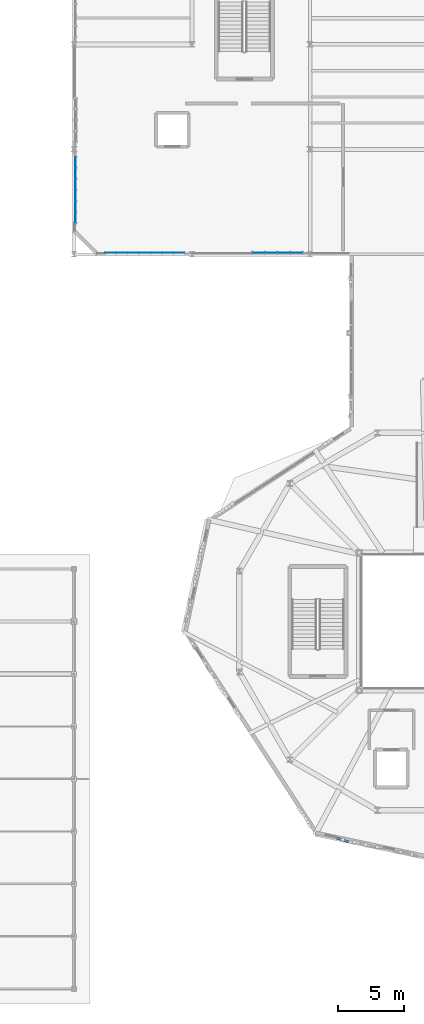
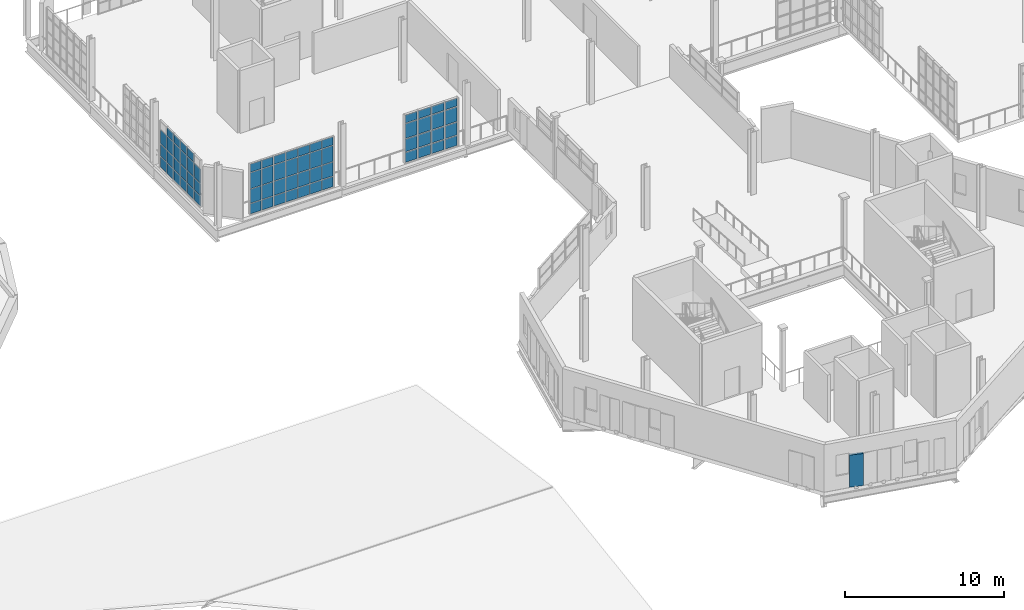
# One storey, part 88 of 118: 67 plates, 3 elements without a shape of their own.
"""IFC4 building model written with IfcOpenShell, lengths in metres."""

from ifc_helpers import new_model, si_unit, direction, frame, frame_2d, origin, origin_2d, place, context, subcontext, project, spatial, rectangle, extrude, material, layer, layer_set, type_object, element, aggregate, save


model = new_model("IFC4")

# Units and contexts
model_context = context("Model", 3, precision=1e-05, world=origin(), true_north=direction((0.0, 1.0)))
body_context = subcontext(model_context, "Body", "Model", "MODEL_VIEW")
ifc_project = project(units=[si_unit("LENGTHUNIT", "METRE"), si_unit("AREAUNIT", "SQUARE_METRE"), si_unit("VOLUMEUNIT", "CUBIC_METRE"), si_unit("PLANEANGLEUNIT", "RADIAN"), si_unit("MASSUNIT", "GRAM", prefix="KILO"), si_unit("THERMODYNAMICTEMPERATUREUNIT", "KELVIN"), si_unit("POWERUNIT", "WATT")], contexts=[model_context])

# Site, building, storey
site_placement = place(None, origin())
site = spatial("IfcSite", under=ifc_project, at=site_placement, CompositionType="ELEMENT")
building_placement = place(site_placement, origin())
building = spatial("IfcBuilding", under=site, at=building_placement, Name="Zelmaris Science Centre", CompositionType="ELEMENT")
storey_placement = place(building_placement, frame((0.0, 0.0, 15.60009765625)))
storey = spatial("IfcBuildingStorey", under=building, at=storey_placement, Name="L03", CompositionType="ELEMENT", Elevation=15.60009765625)

# Curtain wall, plates
ifc_material_1 = material(Name="Anodised architectural aluminium 6063-T6", Category="aluminium")
ifc_layer_1 = layer(ifc_material_1, 0.199951171875, Name="Anodised architectural aluminium 6063-T6")
ifc_layer_set_1 = layer_set([ifc_layer_1], Name="Anodised architectural aluminium 6063-T6")
curtain_wall_type_1 = type_object("IfcCurtainWallType", Name="Curtain Wall CW-02", PredefinedType="USERDEFINED", material=ifc_layer_set_1)
curtain_wall_1_placement = place(storey_placement, origin())
curtain_wall_1 = element("IfcCurtainWall", 1, at=curtain_wall_1_placement, inside=storey, type_object=curtain_wall_type_1, Name="L03 Unitised curtain wall 318", ObjectType="GLAZED CURTAIN WALL", PredefinedType="USERDEFINED")
ifc_material_2 = material(Name="Laminated hurricane-rated low-E insulated glazing", Category="glass")
ifc_layer_2 = layer(ifc_material_2, 0.028076171875, Name="Laminated hurricane-rated low-E insulated glazing")
ifc_layer_set_2 = layer_set([ifc_layer_2], Name="Laminated hurricane-rated low-E insulated glazing")
plate_type_1 = type_object("IfcPlateType", Name="Curtain Glazing Panel CWP-2 28mm", PredefinedType="CURTAIN_PANEL", material=ifc_layer_set_2)
plate_1_placement = place(storey_placement, frame((70.955810546875, 64.1201171875, 0.052001953125), z_axis=(0.0, 0.0, 1.0), x_axis=(-1.0, 0.0, 0.0)))
plate_1 = element("IfcPlate", 2, at=plate_1_placement, type_object=plate_type_1, Name="CW-02 panel 1.1", PredefinedType="CURTAIN_PANEL", context=body_context, shape_type="SweptSolid", body=[
    extrude(rectangle(XDim=0.87451171875, YDim=0.028076171875, at=origin_2d()), origin(), (0.0, 0.0, 1.0), 0.74951171875),
])
plate_2_placement = place(storey_placement, frame((70.955810546875, 64.1201171875, 0.868408203125), z_axis=(0.0, 0.0, 1.0), x_axis=(-1.0, 0.0, 0.0)))
plate_2 = element("IfcPlate", 3, at=plate_2_placement, type_object=plate_type_1, Name="CW-02 panel 1.2", PredefinedType="CURTAIN_PANEL", context=body_context, shape_type="SweptSolid", body=[
    extrude(rectangle(XDim=0.87451171875, YDim=0.028076171875, at=origin_2d()), origin(), (0.0, 0.0, 1.0), 0.95947265625),
])
plate_3_placement = place(storey_placement, frame((70.955810546875, 64.1201171875, 1.89501953125), z_axis=(0.0, 0.0, 1.0), x_axis=(-1.0, 0.0, 0.0)))
plate_3 = element("IfcPlate", 4, at=plate_3_placement, type_object=plate_type_1, Name="CW-02 panel 1.3", PredefinedType="CURTAIN_PANEL", context=body_context, shape_type="SweptSolid", body=[
    extrude(rectangle(XDim=0.87451171875, YDim=0.028076171875, at=origin_2d()), origin(), (0.0, 0.0, 1.0), 1.109619140625),
])
plate_4_placement = place(storey_placement, frame((70.955810546875, 64.1201171875, 3.0712890625), z_axis=(0.0, 0.0, 1.0), x_axis=(-1.0, 0.0, 0.0)))
plate_4 = element("IfcPlate", 5, at=plate_4_placement, type_object=plate_type_1, Name="CW-02 panel 1.4", PredefinedType="CURTAIN_PANEL", context=body_context, shape_type="SweptSolid", body=[
    extrude(rectangle(XDim=0.87451171875, YDim=0.028076171875, at=origin_2d()), origin(), (0.0, 0.0, 1.0), 0.599609375),
])
plate_5_placement = place(storey_placement, frame((69.99755859375, 64.1201171875, 0.052001953125), z_axis=(0.0, 0.0, 1.0), x_axis=(-1.0, 0.0, 0.0)))
plate_5 = element("IfcPlate", 6, at=plate_5_placement, type_object=plate_type_1, Name="CW-02 panel 2.1", PredefinedType="CURTAIN_PANEL", context=body_context, shape_type="SweptSolid", body=[
    extrude(rectangle(XDim=0.907958984375, YDim=0.028076171875, at=origin_2d()), origin(), (0.0, 0.0, 1.0), 0.74951171875),
])
plate_6_placement = place(storey_placement, frame((69.99755859375, 64.1201171875, 0.868408203125), z_axis=(0.0, 0.0, 1.0), x_axis=(-1.0, 0.0, 0.0)))
plate_6 = element("IfcPlate", 7, at=plate_6_placement, type_object=plate_type_1, Name="CW-02 panel 2.2", PredefinedType="CURTAIN_PANEL", context=body_context, shape_type="SweptSolid", body=[
    extrude(rectangle(XDim=0.907958984375, YDim=0.028076171875, at=origin_2d()), origin(), (0.0, 0.0, 1.0), 0.95947265625),
])
plate_7_placement = place(storey_placement, frame((69.99755859375, 64.1201171875, 1.89501953125), z_axis=(0.0, 0.0, 1.0), x_axis=(-1.0, 0.0, 0.0)))
plate_7 = element("IfcPlate", 8, at=plate_7_placement, type_object=plate_type_1, Name="CW-02 panel 2.3", PredefinedType="CURTAIN_PANEL", context=body_context, shape_type="SweptSolid", body=[
    extrude(rectangle(XDim=0.907958984375, YDim=0.028076171875, at=origin_2d()), origin(), (0.0, 0.0, 1.0), 1.109619140625),
])
plate_8_placement = place(storey_placement, frame((69.99755859375, 64.1201171875, 3.0712890625), z_axis=(0.0, 0.0, 1.0), x_axis=(-1.0, 0.0, 0.0)))
plate_8 = element("IfcPlate", 9, at=plate_8_placement, type_object=plate_type_1, Name="CW-02 panel 2.4", PredefinedType="CURTAIN_PANEL", context=body_context, shape_type="SweptSolid", body=[
    extrude(rectangle(XDim=0.907958984375, YDim=0.028076171875, at=origin_2d()), origin(), (0.0, 0.0, 1.0), 0.599609375),
])
plate_9_placement = place(storey_placement, frame((69.0224609375, 64.1201171875, 0.052001953125), z_axis=(0.0, 0.0, 1.0), x_axis=(-1.0, 0.0, 0.0)))
plate_9 = element("IfcPlate", 10, at=plate_9_placement, type_object=plate_type_1, Name="CW-02 panel 3.1", PredefinedType="CURTAIN_PANEL", context=body_context, shape_type="SweptSolid", body=[
    extrude(rectangle(XDim=0.907958984375, YDim=0.028076171875, at=origin_2d()), origin(), (0.0, 0.0, 1.0), 0.74951171875),
])
plate_10_placement = place(storey_placement, frame((69.0224609375, 64.1201171875, 0.868408203125), z_axis=(0.0, 0.0, 1.0), x_axis=(-1.0, 0.0, 0.0)))
plate_10 = element("IfcPlate", 11, at=plate_10_placement, type_object=plate_type_1, Name="CW-02 panel 3.2", PredefinedType="CURTAIN_PANEL", context=body_context, shape_type="SweptSolid", body=[
    extrude(rectangle(XDim=0.907958984375, YDim=0.028076171875, at=origin_2d()), origin(), (0.0, 0.0, 1.0), 0.95947265625),
])
plate_11_placement = place(storey_placement, frame((69.0224609375, 64.1201171875, 1.89501953125), z_axis=(0.0, 0.0, 1.0), x_axis=(-1.0, 0.0, 0.0)))
plate_11 = element("IfcPlate", 12, at=plate_11_placement, type_object=plate_type_1, Name="CW-02 panel 3.3", PredefinedType="CURTAIN_PANEL", context=body_context, shape_type="SweptSolid", body=[
    extrude(rectangle(XDim=0.907958984375, YDim=0.028076171875, at=origin_2d()), origin(), (0.0, 0.0, 1.0), 1.109619140625),
])
plate_12_placement = place(storey_placement, frame((69.0224609375, 64.1201171875, 3.0712890625), z_axis=(0.0, 0.0, 1.0), x_axis=(-1.0, 0.0, 0.0)))
plate_12 = element("IfcPlate", 13, at=plate_12_placement, type_object=plate_type_1, Name="CW-02 panel 3.4", PredefinedType="CURTAIN_PANEL", context=body_context, shape_type="SweptSolid", body=[
    extrude(rectangle(XDim=0.907958984375, YDim=0.028076171875, at=origin_2d()), origin(), (0.0, 0.0, 1.0), 0.599609375),
])
plate_13_placement = place(storey_placement, frame((68.064208984375, 64.1201171875, 0.052001953125), z_axis=(0.0, 0.0, 1.0), x_axis=(-1.0, 0.0, 0.0)))
plate_13 = element("IfcPlate", 14, at=plate_13_placement, type_object=plate_type_1, Name="CW-02 panel 4.1", PredefinedType="CURTAIN_PANEL", context=body_context, shape_type="SweptSolid", body=[
    extrude(rectangle(XDim=0.87451171875, YDim=0.028076171875, at=origin_2d()), origin(), (0.0, 0.0, 1.0), 0.74951171875),
])
plate_14_placement = place(storey_placement, frame((68.064208984375, 64.1201171875, 0.868408203125), z_axis=(0.0, 0.0, 1.0), x_axis=(-1.0, 0.0, 0.0)))
plate_14 = element("IfcPlate", 15, at=plate_14_placement, type_object=plate_type_1, Name="CW-02 panel 4.2", PredefinedType="CURTAIN_PANEL", context=body_context, shape_type="SweptSolid", body=[
    extrude(rectangle(XDim=0.87451171875, YDim=0.028076171875, at=origin_2d()), origin(), (0.0, 0.0, 1.0), 0.95947265625),
])
plate_15_placement = place(storey_placement, frame((68.064208984375, 64.1201171875, 1.89501953125), z_axis=(0.0, 0.0, 1.0), x_axis=(-1.0, 0.0, 0.0)))
plate_15 = element("IfcPlate", 16, at=plate_15_placement, type_object=plate_type_1, Name="CW-02 panel 4.3", PredefinedType="CURTAIN_PANEL", context=body_context, shape_type="SweptSolid", body=[
    extrude(rectangle(XDim=0.87451171875, YDim=0.028076171875, at=origin_2d()), origin(), (0.0, 0.0, 1.0), 1.109619140625),
])
plate_16_placement = place(storey_placement, frame((68.064208984375, 64.1201171875, 3.0712890625), z_axis=(0.0, 0.0, 1.0), x_axis=(-1.0, 0.0, 0.0)))
plate_16 = element("IfcPlate", 17, at=plate_16_placement, type_object=plate_type_1, Name="CW-02 panel 4.4", PredefinedType="CURTAIN_PANEL", context=body_context, shape_type="SweptSolid", body=[
    extrude(rectangle(XDim=0.87451171875, YDim=0.028076171875, at=origin_2d()), origin(), (0.0, 0.0, 1.0), 0.599609375),
])
aggregate(curtain_wall_1, [plate_1, plate_2, plate_3, plate_4, plate_5, plate_6, plate_7, plate_8, plate_9, plate_10, plate_11, plate_12, plate_13, plate_14, plate_15, plate_16])

ifc_layer_3 = layer(ifc_material_1, 0.219970703125, Name="Anodised architectural aluminium 6063-T6")
ifc_layer_set_3 = layer_set([ifc_layer_3], Name="Anodised architectural aluminium 6063-T6")
curtain_wall_type_2 = type_object("IfcCurtainWallType", Name="Curtain Wall CW-04", PredefinedType="USERDEFINED", material=ifc_layer_set_3)
curtain_wall_2_placement = place(storey_placement, origin())
curtain_wall_2 = element("IfcCurtainWall", 18, at=curtain_wall_2_placement, inside=storey, type_object=curtain_wall_type_2, Name="L03 Unitised curtain wall 276", ObjectType="GLAZED CURTAIN WALL", PredefinedType="USERDEFINED")
ifc_layer_4 = layer(ifc_material_2, 0.02392578125, Name="Laminated hurricane-rated low-E insulated glazing")
ifc_layer_set_4 = layer_set([ifc_layer_4], Name="Laminated hurricane-rated low-E insulated glazing")
plate_type_2 = type_object("IfcPlateType", Name="Curtain Glazing Panel CWP-4 24mm", PredefinedType="CURTAIN_PANEL", material=ifc_layer_set_4)
plate_17_placement = place(storey_placement, frame((54.1201171875, 66.77978515625, 0.036865234375), z_axis=(0.0, 0.0, 1.0), x_axis=(0.0, 1.0, 0.0)))
plate_17 = element("IfcPlate", 19, at=plate_17_placement, type_object=plate_type_2, Name="CW-04 panel 1.1", PredefinedType="CURTAIN_PANEL", context=body_context, shape_type="SweptSolid", body=[
    extrude(rectangle(XDim=0.775390625, YDim=0.02392578125, at=origin_2d()), origin(), (0.0, 0.0, 1.0), 0.77197265625),
])
plate_18_placement = place(storey_placement, frame((54.1201171875, 66.77978515625, 0.86083984375), z_axis=(0.0, 0.0, 1.0), x_axis=(0.0, 1.0, 0.0)))
plate_18 = element("IfcPlate", 20, at=plate_18_placement, type_object=plate_type_2, Name="CW-04 panel 1.2", PredefinedType="CURTAIN_PANEL", context=body_context, shape_type="SweptSolid", body=[
    extrude(rectangle(XDim=0.775390625, YDim=0.02392578125, at=origin_2d()), origin(), (0.0, 0.0, 1.0), 0.906982421875),
])
plate_19_placement = place(storey_placement, frame((54.1201171875, 66.77978515625, 1.81982421875), z_axis=(0.0, 0.0, 1.0), x_axis=(0.0, 1.0, 0.0)))
plate_19 = element("IfcPlate", 21, at=plate_19_placement, type_object=plate_type_2, Name="CW-04 panel 1.3", PredefinedType="CURTAIN_PANEL", context=body_context, shape_type="SweptSolid", body=[
    extrude(rectangle(XDim=0.775390625, YDim=0.02392578125, at=origin_2d()), origin(), (0.0, 0.0, 1.0), 1.056884765625),
])
plate_20_placement = place(storey_placement, frame((54.1201171875, 67.6201171875, 0.036865234375), z_axis=(0.0, 0.0, 1.0), x_axis=(0.0, 1.0, 0.0)))
plate_20 = element("IfcPlate", 22, at=plate_20_placement, type_object=plate_type_2, Name="CW-04 panel 2.1", PredefinedType="CURTAIN_PANEL", context=body_context, shape_type="SweptSolid", body=[
    extrude(rectangle(XDim=0.80126953125, YDim=0.02392578125, at=origin_2d()), origin(), (0.0, 0.0, 1.0), 0.77197265625),
])
plate_21_placement = place(storey_placement, frame((54.1201171875, 67.6201171875, 0.86083984375), z_axis=(0.0, 0.0, 1.0), x_axis=(0.0, 1.0, 0.0)))
plate_21 = element("IfcPlate", 23, at=plate_21_placement, type_object=plate_type_2, Name="CW-04 panel 2.2", PredefinedType="CURTAIN_PANEL", context=body_context, shape_type="SweptSolid", body=[
    extrude(rectangle(XDim=0.80126953125, YDim=0.02392578125, at=origin_2d()), origin(), (0.0, 0.0, 1.0), 0.906982421875),
])
plate_22_placement = place(storey_placement, frame((54.1201171875, 67.6201171875, 1.81982421875), z_axis=(0.0, 0.0, 1.0), x_axis=(0.0, 1.0, 0.0)))
plate_22 = element("IfcPlate", 24, at=plate_22_placement, type_object=plate_type_2, Name="CW-04 panel 2.3", PredefinedType="CURTAIN_PANEL", context=body_context, shape_type="SweptSolid", body=[
    extrude(rectangle(XDim=0.80126953125, YDim=0.02392578125, at=origin_2d()), origin(), (0.0, 0.0, 1.0), 1.056884765625),
])
plate_23_placement = place(storey_placement, frame((54.1201171875, 67.6201171875, 2.928955078125), z_axis=(0.0, 0.0, 1.0), x_axis=(0.0, 1.0, 0.0)))
plate_23 = element("IfcPlate", 25, at=plate_23_placement, type_object=plate_type_2, Name="CW-04 panel 2.4", PredefinedType="CURTAIN_PANEL", context=body_context, shape_type="SweptSolid", body=[
    extrude(rectangle(XDim=0.80126953125, YDim=0.02392578125, at=origin_2d()), origin(), (0.0, 0.0, 1.0), 0.6220703125),
])
plate_24_placement = place(storey_placement, frame((54.1201171875, 68.473388671875, 0.036865234375), z_axis=(0.0, 0.0, 1.0), x_axis=(0.0, 1.0, 0.0)))
plate_24 = element("IfcPlate", 26, at=plate_24_placement, type_object=plate_type_2, Name="CW-04 panel 3.1", PredefinedType="CURTAIN_PANEL", context=body_context, shape_type="SweptSolid", body=[
    extrude(rectangle(XDim=0.80126953125, YDim=0.02392578125, at=origin_2d()), origin(), (0.0, 0.0, 1.0), 0.77197265625),
])
plate_25_placement = place(storey_placement, frame((54.1201171875, 68.473388671875, 0.86083984375), z_axis=(0.0, 0.0, 1.0), x_axis=(0.0, 1.0, 0.0)))
plate_25 = element("IfcPlate", 27, at=plate_25_placement, type_object=plate_type_2, Name="CW-04 panel 3.2", PredefinedType="CURTAIN_PANEL", context=body_context, shape_type="SweptSolid", body=[
    extrude(rectangle(XDim=0.80126953125, YDim=0.02392578125, at=origin_2d()), origin(), (0.0, 0.0, 1.0), 0.906982421875),
])
plate_26_placement = place(storey_placement, frame((54.1201171875, 68.473388671875, 1.81982421875), z_axis=(0.0, 0.0, 1.0), x_axis=(0.0, 1.0, 0.0)))
plate_26 = element("IfcPlate", 28, at=plate_26_placement, type_object=plate_type_2, Name="CW-04 panel 3.3", PredefinedType="CURTAIN_PANEL", context=body_context, shape_type="SweptSolid", body=[
    extrude(rectangle(XDim=0.80126953125, YDim=0.02392578125, at=origin_2d()), origin(), (0.0, 0.0, 1.0), 1.056884765625),
])
plate_27_placement = place(storey_placement, frame((54.1201171875, 68.473388671875, 2.928955078125), z_axis=(0.0, 0.0, 1.0), x_axis=(0.0, 1.0, 0.0)))
plate_27 = element("IfcPlate", 29, at=plate_27_placement, type_object=plate_type_2, Name="CW-04 panel 3.4", PredefinedType="CURTAIN_PANEL", context=body_context, shape_type="SweptSolid", body=[
    extrude(rectangle(XDim=0.80126953125, YDim=0.02392578125, at=origin_2d()), origin(), (0.0, 0.0, 1.0), 0.6220703125),
])
plate_28_placement = place(storey_placement, frame((54.1201171875, 69.32666015625, 0.036865234375), z_axis=(0.0, 0.0, 1.0), x_axis=(0.0, 1.0, 0.0)))
plate_28 = element("IfcPlate", 30, at=plate_28_placement, type_object=plate_type_2, Name="CW-04 panel 4.1", PredefinedType="CURTAIN_PANEL", context=body_context, shape_type="SweptSolid", body=[
    extrude(rectangle(XDim=0.80126953125, YDim=0.02392578125, at=origin_2d()), origin(), (0.0, 0.0, 1.0), 0.77197265625),
])
plate_29_placement = place(storey_placement, frame((54.1201171875, 69.32666015625, 0.86083984375), z_axis=(0.0, 0.0, 1.0), x_axis=(0.0, 1.0, 0.0)))
plate_29 = element("IfcPlate", 31, at=plate_29_placement, type_object=plate_type_2, Name="CW-04 panel 4.2", PredefinedType="CURTAIN_PANEL", context=body_context, shape_type="SweptSolid", body=[
    extrude(rectangle(XDim=0.80126953125, YDim=0.02392578125, at=origin_2d()), origin(), (0.0, 0.0, 1.0), 0.906982421875),
])
plate_30_placement = place(storey_placement, frame((54.1201171875, 69.32666015625, 1.81982421875), z_axis=(0.0, 0.0, 1.0), x_axis=(0.0, 1.0, 0.0)))
plate_30 = element("IfcPlate", 32, at=plate_30_placement, type_object=plate_type_2, Name="CW-04 panel 4.3", PredefinedType="CURTAIN_PANEL", context=body_context, shape_type="SweptSolid", body=[
    extrude(rectangle(XDim=0.80126953125, YDim=0.02392578125, at=origin_2d()), origin(), (0.0, 0.0, 1.0), 1.056884765625),
])
plate_31_placement = place(storey_placement, frame((54.1201171875, 69.32666015625, 2.928955078125), z_axis=(0.0, 0.0, 1.0), x_axis=(0.0, 1.0, 0.0)))
plate_31 = element("IfcPlate", 33, at=plate_31_placement, type_object=plate_type_2, Name="CW-04 panel 4.4", PredefinedType="CURTAIN_PANEL", context=body_context, shape_type="SweptSolid", body=[
    extrude(rectangle(XDim=0.80126953125, YDim=0.02392578125, at=origin_2d()), origin(), (0.0, 0.0, 1.0), 0.6220703125),
])
plate_32_placement = place(storey_placement, frame((54.1201171875, 70.179931640625, 0.036865234375), z_axis=(0.0, 0.0, 1.0), x_axis=(0.0, 1.0, 0.0)))
plate_32 = element("IfcPlate", 34, at=plate_32_placement, type_object=plate_type_2, Name="CW-04 panel 5.1", PredefinedType="CURTAIN_PANEL", context=body_context, shape_type="SweptSolid", body=[
    extrude(rectangle(XDim=0.80126953125, YDim=0.02392578125, at=origin_2d()), origin(), (0.0, 0.0, 1.0), 0.77197265625),
])
plate_33_placement = place(storey_placement, frame((54.1201171875, 70.179931640625, 0.86083984375), z_axis=(0.0, 0.0, 1.0), x_axis=(0.0, 1.0, 0.0)))
plate_33 = element("IfcPlate", 35, at=plate_33_placement, type_object=plate_type_2, Name="CW-04 panel 5.2", PredefinedType="CURTAIN_PANEL", context=body_context, shape_type="SweptSolid", body=[
    extrude(rectangle(XDim=0.80126953125, YDim=0.02392578125, at=origin_2d()), origin(), (0.0, 0.0, 1.0), 0.906982421875),
])
plate_34_placement = place(storey_placement, frame((54.1201171875, 70.179931640625, 1.81982421875), z_axis=(0.0, 0.0, 1.0), x_axis=(0.0, 1.0, 0.0)))
plate_34 = element("IfcPlate", 36, at=plate_34_placement, type_object=plate_type_2, Name="CW-04 panel 5.3", PredefinedType="CURTAIN_PANEL", context=body_context, shape_type="SweptSolid", body=[
    extrude(rectangle(XDim=0.80126953125, YDim=0.02392578125, at=origin_2d()), origin(), (0.0, 0.0, 1.0), 1.056884765625),
])
plate_35_placement = place(storey_placement, frame((54.1201171875, 70.179931640625, 2.928955078125), z_axis=(0.0, 0.0, 1.0), x_axis=(0.0, 1.0, 0.0)))
plate_35 = element("IfcPlate", 37, at=plate_35_placement, type_object=plate_type_2, Name="CW-04 panel 5.4", PredefinedType="CURTAIN_PANEL", context=body_context, shape_type="SweptSolid", body=[
    extrude(rectangle(XDim=0.80126953125, YDim=0.02392578125, at=origin_2d()), origin(), (0.0, 0.0, 1.0), 0.6220703125),
])
plate_36_placement = place(storey_placement, frame((54.1201171875, 71.020263671875, 0.036865234375), z_axis=(0.0, 0.0, 1.0), x_axis=(0.0, 1.0, 0.0)))
plate_36 = element("IfcPlate", 38, at=plate_36_placement, type_object=plate_type_2, Name="CW-04 panel 6.1", PredefinedType="CURTAIN_PANEL", context=body_context, shape_type="SweptSolid", body=[
    extrude(rectangle(XDim=0.775390625, YDim=0.02392578125, at=origin_2d()), origin(), (0.0, 0.0, 1.0), 0.77197265625),
])
plate_37_placement = place(storey_placement, frame((54.1201171875, 71.020263671875, 0.86083984375), z_axis=(0.0, 0.0, 1.0), x_axis=(0.0, 1.0, 0.0)))
plate_37 = element("IfcPlate", 39, at=plate_37_placement, type_object=plate_type_2, Name="CW-04 panel 6.2", PredefinedType="CURTAIN_PANEL", context=body_context, shape_type="SweptSolid", body=[
    extrude(rectangle(XDim=0.775390625, YDim=0.02392578125, at=origin_2d()), origin(), (0.0, 0.0, 1.0), 0.906982421875),
])
plate_38_placement = place(storey_placement, frame((54.1201171875, 71.020263671875, 1.81982421875), z_axis=(0.0, 0.0, 1.0), x_axis=(0.0, 1.0, 0.0)))
plate_38 = element("IfcPlate", 40, at=plate_38_placement, type_object=plate_type_2, Name="CW-04 panel 6.3", PredefinedType="CURTAIN_PANEL", context=body_context, shape_type="SweptSolid", body=[
    extrude(rectangle(XDim=0.775390625, YDim=0.02392578125, at=origin_2d()), origin(), (0.0, 0.0, 1.0), 1.056884765625),
])
aggregate(curtain_wall_2, [plate_17, plate_18, plate_19, plate_20, plate_21, plate_22, plate_23, plate_24, plate_25, plate_26, plate_27, plate_28, plate_29, plate_30, plate_31, plate_32, plate_33, plate_34, plate_35, plate_36, plate_37, plate_38])

curtain_wall_3_placement = place(storey_placement, origin())
curtain_wall_3 = element("IfcCurtainWall", 41, at=curtain_wall_3_placement, inside=storey, type_object=curtain_wall_type_2, Name="L03 Unitised curtain wall 320", ObjectType="GLAZED CURTAIN WALL", PredefinedType="USERDEFINED")
plate_39_placement = place(storey_placement, frame((62.009765625, 64.1201171875, 0.036865234375), z_axis=(0.0, 0.0, 1.0), x_axis=(-0.999999999867, 1.6339877e-05, 0.0)))
plate_39 = element("IfcPlate", 42, at=plate_39_placement, type_object=plate_type_2, Name="CW-04 panel 1.1", PredefinedType="CURTAIN_PANEL", context=body_context, shape_type="SweptSolid", body=[
    extrude(rectangle(XDim=0.79638671875, YDim=0.02392578125, at=origin_2d()), origin(), (0.0, 0.0, 1.0), 0.77197265625),
])
plate_40_placement = place(storey_placement, frame((62.009765625, 64.1201171875, 0.86083984375), z_axis=(0.0, 0.0, 1.0), x_axis=(-0.999999999867, 1.6339877e-05, 0.0)))
plate_40 = element("IfcPlate", 43, at=plate_40_placement, type_object=plate_type_2, Name="CW-04 panel 1.2", PredefinedType="CURTAIN_PANEL", context=body_context, shape_type="SweptSolid", body=[
    extrude(rectangle(XDim=0.79638671875, YDim=0.02392578125, at=origin_2d()), origin(), (0.0, 0.0, 1.0), 1.056884765625),
])
plate_41_placement = place(storey_placement, frame((62.009765625, 64.1201171875, 1.969970703125), z_axis=(0.0, 0.0, 1.0), x_axis=(-0.999999999867, 1.6339877e-05, 0.0)))
plate_41 = element("IfcPlate", 44, at=plate_41_placement, type_object=plate_type_2, Name="CW-04 panel 1.3", PredefinedType="CURTAIN_PANEL", context=body_context, shape_type="SweptSolid", body=[
    extrude(rectangle(XDim=0.79638671875, YDim=0.02392578125, at=origin_2d()), origin(), (0.0, 0.0, 1.0), 1.20703125),
])
plate_42_placement = place(storey_placement, frame((62.009765625, 64.1201171875, 3.228759765625), z_axis=(0.0, 0.0, 1.0), x_axis=(-0.999999999867, 1.6339877e-05, 0.0)))
plate_42 = element("IfcPlate", 45, at=plate_42_placement, type_object=plate_type_2, Name="CW-04 panel 1.4", PredefinedType="CURTAIN_PANEL", context=body_context, shape_type="SweptSolid", body=[
    extrude(rectangle(XDim=0.79638671875, YDim=0.02392578125, at=origin_2d()), origin(), (0.0, 0.0, 1.0), 0.6220703125),
])
plate_43_placement = place(storey_placement, frame((61.148681640625, 64.1201171875, 0.036865234375), z_axis=(0.0, 0.0, 1.0), x_axis=(-0.999999999867, 1.6339877e-05, 0.0)))
plate_43 = element("IfcPlate", 46, at=plate_43_placement, type_object=plate_type_2, Name="CW-04 panel 2.1", PredefinedType="CURTAIN_PANEL", context=body_context, shape_type="SweptSolid", body=[
    extrude(rectangle(XDim=0.822265625, YDim=0.02392578125, at=origin_2d()), origin(), (0.0, 0.0, 1.0), 0.77197265625),
])
plate_44_placement = place(storey_placement, frame((61.148681640625, 64.1201171875, 0.86083984375), z_axis=(0.0, 0.0, 1.0), x_axis=(-0.999999999867, 1.6339877e-05, 0.0)))
plate_44 = element("IfcPlate", 47, at=plate_44_placement, type_object=plate_type_2, Name="CW-04 panel 2.2", PredefinedType="CURTAIN_PANEL", context=body_context, shape_type="SweptSolid", body=[
    extrude(rectangle(XDim=0.822265625, YDim=0.02392578125, at=origin_2d()), origin(), (0.0, 0.0, 1.0), 1.056884765625),
])
plate_45_placement = place(storey_placement, frame((61.148681640625, 64.1201171875, 1.969970703125), z_axis=(0.0, 0.0, 1.0), x_axis=(-0.999999999867, 1.6339877e-05, 0.0)))
plate_45 = element("IfcPlate", 48, at=plate_45_placement, type_object=plate_type_2, Name="CW-04 panel 2.3", PredefinedType="CURTAIN_PANEL", context=body_context, shape_type="SweptSolid", body=[
    extrude(rectangle(XDim=0.822265625, YDim=0.02392578125, at=origin_2d()), origin(), (0.0, 0.0, 1.0), 1.20703125),
])
plate_46_placement = place(storey_placement, frame((61.148681640625, 64.1201171875, 3.228759765625), z_axis=(0.0, 0.0, 1.0), x_axis=(-0.999999999867, 1.6339877e-05, 0.0)))
plate_46 = element("IfcPlate", 49, at=plate_46_placement, type_object=plate_type_2, Name="CW-04 panel 2.4", PredefinedType="CURTAIN_PANEL", context=body_context, shape_type="SweptSolid", body=[
    extrude(rectangle(XDim=0.822265625, YDim=0.02392578125, at=origin_2d()), origin(), (0.0, 0.0, 1.0), 0.6220703125),
])
plate_47_placement = place(storey_placement, frame((60.274169921875, 64.1201171875, 0.036865234375), z_axis=(0.0, 0.0, 1.0), x_axis=(-0.999999999867, 1.6339877e-05, 0.0)))
plate_47 = element("IfcPlate", 50, at=plate_47_placement, type_object=plate_type_2, Name="CW-04 panel 3.1", PredefinedType="CURTAIN_PANEL", context=body_context, shape_type="SweptSolid", body=[
    extrude(rectangle(XDim=0.822265625, YDim=0.02392578125, at=origin_2d()), origin(), (0.0, 0.0, 1.0), 0.77197265625),
])
plate_48_placement = place(storey_placement, frame((60.274169921875, 64.1201171875, 0.86083984375), z_axis=(0.0, 0.0, 1.0), x_axis=(-0.999999999867, 1.6339877e-05, 0.0)))
plate_48 = element("IfcPlate", 51, at=plate_48_placement, type_object=plate_type_2, Name="CW-04 panel 3.2", PredefinedType="CURTAIN_PANEL", context=body_context, shape_type="SweptSolid", body=[
    extrude(rectangle(XDim=0.822265625, YDim=0.02392578125, at=origin_2d()), origin(), (0.0, 0.0, 1.0), 1.056884765625),
])
plate_49_placement = place(storey_placement, frame((60.274169921875, 64.1201171875, 1.969970703125), z_axis=(0.0, 0.0, 1.0), x_axis=(-0.999999999867, 1.6339877e-05, 0.0)))
plate_49 = element("IfcPlate", 52, at=plate_49_placement, type_object=plate_type_2, Name="CW-04 panel 3.3", PredefinedType="CURTAIN_PANEL", context=body_context, shape_type="SweptSolid", body=[
    extrude(rectangle(XDim=0.822265625, YDim=0.02392578125, at=origin_2d()), origin(), (0.0, 0.0, 1.0), 1.20703125),
])
plate_50_placement = place(storey_placement, frame((60.274169921875, 64.1201171875, 3.228759765625), z_axis=(0.0, 0.0, 1.0), x_axis=(-0.999999999867, 1.6339877e-05, 0.0)))
plate_50 = element("IfcPlate", 53, at=plate_50_placement, type_object=plate_type_2, Name="CW-04 panel 3.4", PredefinedType="CURTAIN_PANEL", context=body_context, shape_type="SweptSolid", body=[
    extrude(rectangle(XDim=0.822265625, YDim=0.02392578125, at=origin_2d()), origin(), (0.0, 0.0, 1.0), 0.6220703125),
])
plate_51_placement = place(storey_placement, frame((59.39990234375, 64.1201171875, 0.036865234375), z_axis=(0.0, 0.0, 1.0), x_axis=(-0.999999999867, 1.6339877e-05, 0.0)))
plate_51 = element("IfcPlate", 54, at=plate_51_placement, type_object=plate_type_2, Name="CW-04 panel 4.1", PredefinedType="CURTAIN_PANEL", context=body_context, shape_type="SweptSolid", body=[
    extrude(rectangle(XDim=0.822265625, YDim=0.02392578125, at=origin_2d()), origin(), (0.0, 0.0, 1.0), 0.77197265625),
])
plate_52_placement = place(storey_placement, frame((59.39990234375, 64.1201171875, 0.86083984375), z_axis=(0.0, 0.0, 1.0), x_axis=(-0.999999999867, 1.6339877e-05, 0.0)))
plate_52 = element("IfcPlate", 55, at=plate_52_placement, type_object=plate_type_2, Name="CW-04 panel 4.2", PredefinedType="CURTAIN_PANEL", context=body_context, shape_type="SweptSolid", body=[
    extrude(rectangle(XDim=0.822265625, YDim=0.02392578125, at=origin_2d()), origin(), (0.0, 0.0, 1.0), 1.056884765625),
])
plate_53_placement = place(storey_placement, frame((59.39990234375, 64.1201171875, 1.969970703125), z_axis=(0.0, 0.0, 1.0), x_axis=(-0.999999999867, 1.6339877e-05, 0.0)))
plate_53 = element("IfcPlate", 56, at=plate_53_placement, type_object=plate_type_2, Name="CW-04 panel 4.3", PredefinedType="CURTAIN_PANEL", context=body_context, shape_type="SweptSolid", body=[
    extrude(rectangle(XDim=0.822265625, YDim=0.02392578125, at=origin_2d()), origin(), (0.0, 0.0, 1.0), 1.20703125),
])
plate_54_placement = place(storey_placement, frame((59.39990234375, 64.1201171875, 3.228759765625), z_axis=(0.0, 0.0, 1.0), x_axis=(-0.999999999867, 1.6339877e-05, 0.0)))
plate_54 = element("IfcPlate", 57, at=plate_54_placement, type_object=plate_type_2, Name="CW-04 panel 4.4", PredefinedType="CURTAIN_PANEL", context=body_context, shape_type="SweptSolid", body=[
    extrude(rectangle(XDim=0.822265625, YDim=0.02392578125, at=origin_2d()), origin(), (0.0, 0.0, 1.0), 0.6220703125),
])
plate_55_placement = place(storey_placement, frame((58.525634765625, 64.1201171875, 0.036865234375), z_axis=(0.0, 0.0, 1.0), x_axis=(-0.999999999867, 1.6339877e-05, 0.0)))
plate_55 = element("IfcPlate", 58, at=plate_55_placement, type_object=plate_type_2, Name="CW-04 panel 5.1", PredefinedType="CURTAIN_PANEL", context=body_context, shape_type="SweptSolid", body=[
    extrude(rectangle(XDim=0.822265625, YDim=0.02392578125, at=origin_2d()), origin(), (0.0, 0.0, 1.0), 0.77197265625),
])
plate_56_placement = place(storey_placement, frame((58.525634765625, 64.1201171875, 0.86083984375), z_axis=(0.0, 0.0, 1.0), x_axis=(-0.999999999867, 1.6339877e-05, 0.0)))
plate_56 = element("IfcPlate", 59, at=plate_56_placement, type_object=plate_type_2, Name="CW-04 panel 5.2", PredefinedType="CURTAIN_PANEL", context=body_context, shape_type="SweptSolid", body=[
    extrude(rectangle(XDim=0.822265625, YDim=0.02392578125, at=origin_2d()), origin(), (0.0, 0.0, 1.0), 1.056884765625),
])
plate_57_placement = place(storey_placement, frame((58.525634765625, 64.1201171875, 1.969970703125), z_axis=(0.0, 0.0, 1.0), x_axis=(-0.999999999867, 1.6339877e-05, 0.0)))
plate_57 = element("IfcPlate", 60, at=plate_57_placement, type_object=plate_type_2, Name="CW-04 panel 5.3", PredefinedType="CURTAIN_PANEL", context=body_context, shape_type="SweptSolid", body=[
    extrude(rectangle(XDim=0.822265625, YDim=0.02392578125, at=origin_2d()), origin(), (0.0, 0.0, 1.0), 1.20703125),
])
plate_58_placement = place(storey_placement, frame((58.525634765625, 64.1201171875, 3.228759765625), z_axis=(0.0, 0.0, 1.0), x_axis=(-0.999999999867, 1.6339877e-05, 0.0)))
plate_58 = element("IfcPlate", 61, at=plate_58_placement, type_object=plate_type_2, Name="CW-04 panel 5.4", PredefinedType="CURTAIN_PANEL", context=body_context, shape_type="SweptSolid", body=[
    extrude(rectangle(XDim=0.822265625, YDim=0.02392578125, at=origin_2d()), origin(), (0.0, 0.0, 1.0), 0.6220703125),
])
plate_59_placement = place(storey_placement, frame((57.6513671875, 64.1201171875, 0.036865234375), z_axis=(0.0, 0.0, 1.0), x_axis=(-0.999999999867, 1.6339877e-05, 0.0)))
plate_59 = element("IfcPlate", 62, at=plate_59_placement, type_object=plate_type_2, Name="CW-04 panel 6.1", PredefinedType="CURTAIN_PANEL", context=body_context, shape_type="SweptSolid", body=[
    extrude(rectangle(XDim=0.822265625, YDim=0.02392578125, at=origin_2d()), origin(), (0.0, 0.0, 1.0), 0.77197265625),
])
plate_60_placement = place(storey_placement, frame((57.6513671875, 64.1201171875, 0.86083984375), z_axis=(0.0, 0.0, 1.0), x_axis=(-0.999999999867, 1.6339877e-05, 0.0)))
plate_60 = element("IfcPlate", 63, at=plate_60_placement, type_object=plate_type_2, Name="CW-04 panel 6.2", PredefinedType="CURTAIN_PANEL", context=body_context, shape_type="SweptSolid", body=[
    extrude(rectangle(XDim=0.822265625, YDim=0.02392578125, at=origin_2d()), origin(), (0.0, 0.0, 1.0), 1.056884765625),
])
plate_61_placement = place(storey_placement, frame((57.6513671875, 64.1201171875, 1.969970703125), z_axis=(0.0, 0.0, 1.0), x_axis=(-0.999999999867, 1.6339877e-05, 0.0)))
plate_61 = element("IfcPlate", 64, at=plate_61_placement, type_object=plate_type_2, Name="CW-04 panel 6.3", PredefinedType="CURTAIN_PANEL", context=body_context, shape_type="SweptSolid", body=[
    extrude(rectangle(XDim=0.822265625, YDim=0.02392578125, at=origin_2d()), origin(), (0.0, 0.0, 1.0), 1.20703125),
])
plate_62_placement = place(storey_placement, frame((57.6513671875, 64.1201171875, 3.228759765625), z_axis=(0.0, 0.0, 1.0), x_axis=(-0.999999999867, 1.6339877e-05, 0.0)))
plate_62 = element("IfcPlate", 65, at=plate_62_placement, type_object=plate_type_2, Name="CW-04 panel 6.4", PredefinedType="CURTAIN_PANEL", context=body_context, shape_type="SweptSolid", body=[
    extrude(rectangle(XDim=0.822265625, YDim=0.02392578125, at=origin_2d()), origin(), (0.0, 0.0, 1.0), 0.6220703125),
])
plate_63_placement = place(storey_placement, frame((56.7900390625, 64.1201171875, 0.036865234375), z_axis=(0.0, 0.0, 1.0), x_axis=(-0.999999999867, 1.6339877e-05, 0.0)))
plate_63 = element("IfcPlate", 66, at=plate_63_placement, type_object=plate_type_2, Name="CW-04 panel 7.1", PredefinedType="CURTAIN_PANEL", context=body_context, shape_type="SweptSolid", body=[
    extrude(rectangle(XDim=0.79638671875, YDim=0.02392578125, at=origin_2d()), origin(), (0.0, 0.0, 1.0), 0.77197265625),
])
plate_64_placement = place(storey_placement, frame((56.7900390625, 64.1201171875, 0.86083984375), z_axis=(0.0, 0.0, 1.0), x_axis=(-0.999999999867, 1.6339877e-05, 0.0)))
plate_64 = element("IfcPlate", 67, at=plate_64_placement, type_object=plate_type_2, Name="CW-04 panel 7.2", PredefinedType="CURTAIN_PANEL", context=body_context, shape_type="SweptSolid", body=[
    extrude(rectangle(XDim=0.79638671875, YDim=0.02392578125, at=origin_2d()), origin(), (0.0, 0.0, 1.0), 1.056884765625),
])
plate_65_placement = place(storey_placement, frame((56.7900390625, 64.1201171875, 1.969970703125), z_axis=(0.0, 0.0, 1.0), x_axis=(-0.999999999867, 1.6339877e-05, 0.0)))
plate_65 = element("IfcPlate", 68, at=plate_65_placement, type_object=plate_type_2, Name="CW-04 panel 7.3", PredefinedType="CURTAIN_PANEL", context=body_context, shape_type="SweptSolid", body=[
    extrude(rectangle(XDim=0.79638671875, YDim=0.02392578125, at=origin_2d()), origin(), (0.0, 0.0, 1.0), 1.20703125),
])
plate_66_placement = place(storey_placement, frame((56.7900390625, 64.1201171875, 3.228759765625), z_axis=(0.0, 0.0, 1.0), x_axis=(-0.999999999867, 1.6339877e-05, 0.0)))
plate_66 = element("IfcPlate", 69, at=plate_66_placement, type_object=plate_type_2, Name="CW-04 panel 7.4", PredefinedType="CURTAIN_PANEL", context=body_context, shape_type="SweptSolid", body=[
    extrude(rectangle(XDim=0.79638671875, YDim=0.02392578125, at=origin_2d()), origin(), (0.0, 0.0, 1.0), 0.6220703125),
])
aggregate(curtain_wall_3, [plate_39, plate_40, plate_41, plate_42, plate_43, plate_44, plate_45, plate_46, plate_47, plate_48, plate_49, plate_50, plate_51, plate_52, plate_53, plate_54, plate_55, plate_56, plate_57, plate_58, plate_59, plate_60, plate_61, plate_62, plate_63, plate_64, plate_65, plate_66])

# Plate
ifc_material_3 = material(Name="Precast concrete C40/50", Category="concrete")
ifc_layer_5 = layer(ifc_material_3, 0.169921875, Name="Precast concrete C40/50")
ifc_layer_set_5 = layer_set([ifc_layer_5], Name="Precast concrete C40/50")
plate_type_3 = type_object("IfcPlateType", Name="Precast Facet Panel FP-07 170mm", PredefinedType="SHEET", material=ifc_layer_set_5)
plate_67_placement = place(storey_placement, frame((74.9130859375, 19.2099609375, 0.02001953125), z_axis=(0.0, 0.0, 1.0), x_axis=(-0.952003282413, 0.306087814646, 0.0)))
element("IfcPlate", 70, at=plate_67_placement, inside=storey, type_object=plate_type_3, Name="L03 Folded precast facet panel 126", PredefinedType="SHEET", context=body_context, shape_type="SweptSolid", body=[
    extrude(rectangle(XDim=0.904541015625, YDim=0.169921875, at=frame_2d((0.4521484375, 0.0))), origin(), (0.0, 0.0, 1.0), 2.4599609375),
])

save(model, "model.ifc")
